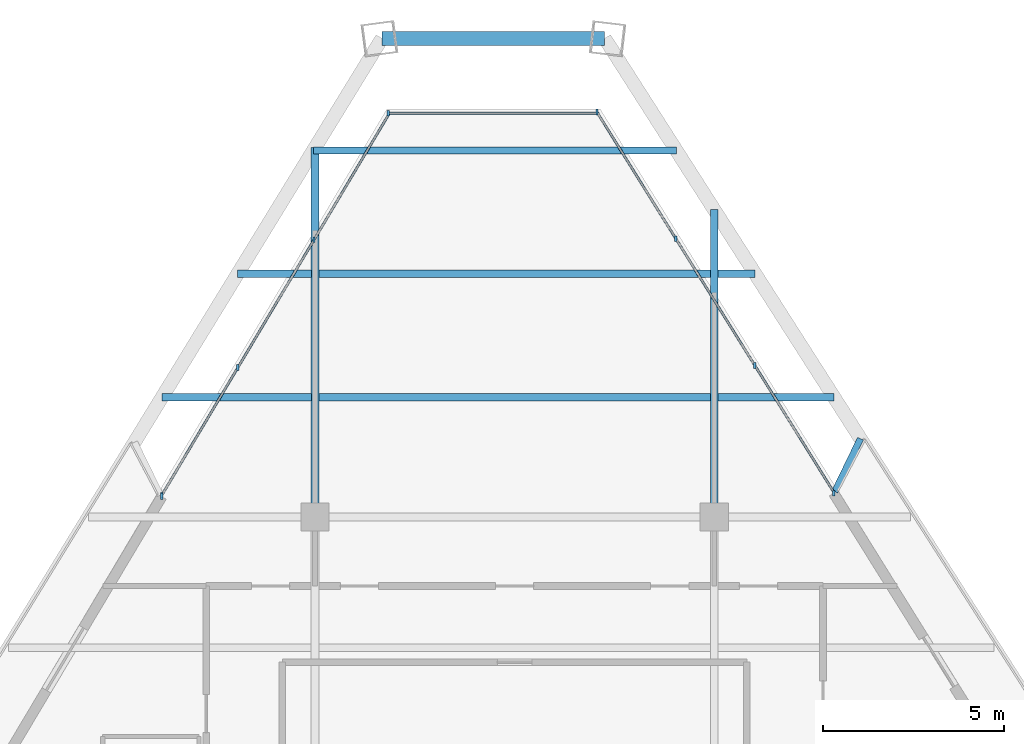
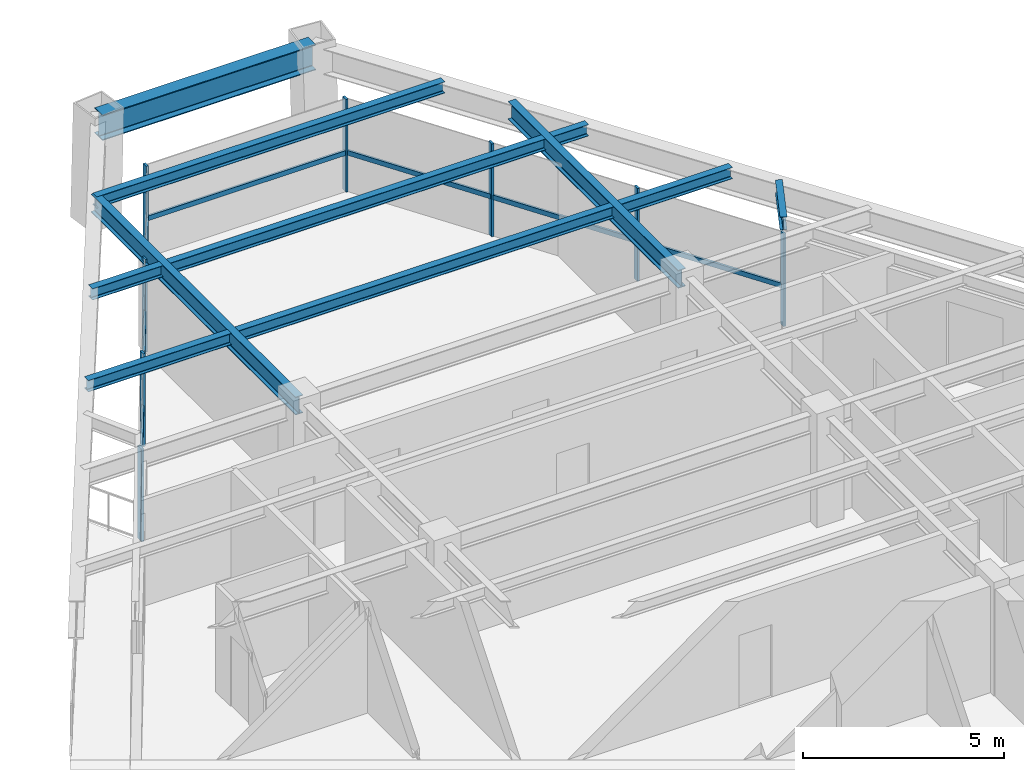
# One storey, part 6 of 12: 16 members, 11 beams, 3 elements without a shape of their own.
"""IFC4 building model written with IfcOpenShell, lengths in metres."""

from ifc_helpers import new_model, si_unit, direction, frame, origin, origin_2d, place, context, subcontext, project, spatial, rectangle, i_section, extrude, source, transform, mapped, material, material_profile, profile_set, type_object, type_shapes, element, aggregate, save


model = new_model("IFC4")

# Units and contexts
model_context = context("Model", 3, precision=1e-05, world=origin(), true_north=direction((0.0, 1.0)))
body_context = subcontext(model_context, "Body", "Model", "MODEL_VIEW")
ifc_project = project(units=[si_unit("LENGTHUNIT", "METRE"), si_unit("AREAUNIT", "SQUARE_METRE"), si_unit("VOLUMEUNIT", "CUBIC_METRE"), si_unit("PLANEANGLEUNIT", "RADIAN"), si_unit("MASSUNIT", "GRAM", prefix="KILO")], contexts=[model_context])

# Site, building, storey
site_placement = place(None, origin())
site = spatial("IfcSite", under=ifc_project, at=site_placement, CompositionType="ELEMENT")
building_placement = place(site_placement, origin())
building = spatial("IfcBuilding", under=site, at=building_placement, Name="Varnakhor Terracotta Tower", CompositionType="ELEMENT")
storey_placement = place(building_placement, frame((0.0, 0.0, 226.89990234375)))
storey = spatial("IfcBuildingStorey", under=building, at=storey_placement, Name="L58", CompositionType="ELEMENT", Elevation=226.89990234375)

# Beams
ifc_material_1 = material(Name="Steel S355", Category="steel")
ifc_material_profile_1 = material_profile(ifc_material_1, i_section(OverallWidth=0.202880859375, OverallDepth=0.346923828125, WebThickness=0.0078125, FlangeThickness=0.013427734375, FilletRadius=0.01806640625, at=origin_2d()), Name="W14X43")
ifc_profile_set_1 = profile_set([ifc_material_profile_1], Name="Steel S355")
beam_type_1 = type_object("IfcBeamType", Name="JST-W14X43", PredefinedType="JOIST", material=ifc_profile_set_1)
shared_shape_1 = source(origin(), body_context, "Body", "SweptSolid", [
    extrude(i_section(OverallWidth=0.202880859375, OverallDepth=0.346923828125, WebThickness=0.0078125, FlangeThickness=0.013427734375, FilletRadius=0.01806640625, at=origin_2d()), origin(), (0.0, 0.0, 1.0), 10.7939453125),
])
for number, where, z_axis, x_axis, name in (
    (1, (-5.39697265625, 34.800048828125, 3.066650390625), (1.0, 0.0, 0.0), (0.0, 1.0, 0.0), "L58 Composite Floor Joist 7-2"),
    (2, (-5.39697265625, 38.199951171875, 3.066650390625), (1.0, 0.0, 0.0), (0.0, 1.0, 0.0), "L58 Composite Floor Joist 8-2"),
):
    element("IfcBeam", number, at=place(storey_placement, frame(where, z_axis=z_axis, x_axis=x_axis)), inside=storey, type_object=beam_type_1, Name=name, PredefinedType="JOIST", context=body_context, shape_type="MappedRepresentation", body=[
        mapped(shared_shape_1, transform((0.0, 0.0, 0.0), scale=1.0)),
    ])
ifc_material_profile_2 = material_profile(ifc_material_1, i_section(OverallWidth=0.381103515625, OverallDepth=0.77294921875, WebThickness=0.01708984375, FlangeThickness=0.027099609375, FilletRadius=0.01806640625, at=origin_2d()), Name="W30X173")
ifc_profile_set_2 = profile_set([ifc_material_profile_2], Name="Steel S355")
beam_type_2 = type_object("IfcBeamType", Name="BM-W30X173", PredefinedType="BEAM", material=ifc_profile_set_2)
shared_shape_2 = source(origin(), body_context, "Body", "SweptSolid", [
    extrude(i_section(OverallWidth=0.381103515625, OverallDepth=0.77294921875, WebThickness=0.01708984375, FlangeThickness=0.027099609375, FilletRadius=0.01806640625, at=origin_2d()), origin(), (0.0, 0.0, 1.0), 6.13818359375),
])
beam_1_placement = place(storey_placement, frame((2.48388671875, 44.690185546875, 2.853515625), z_axis=(-1.0, 0.0, 0.0), x_axis=(0.0, -1.0, 0.0)))
element("IfcBeam", 3, at=beam_1_placement, inside=storey, type_object=beam_type_2, Name="L58 Perimeter Spandrel 5", PredefinedType="BEAM", context=body_context, shape_type="MappedRepresentation", body=[
    mapped(shared_shape_2, transform((0.0, 0.0, 0.0), scale=1.0)),
])
ifc_material_profile_3 = material_profile(ifc_material_1, i_section(OverallWidth=0.214111328125, OverallDepth=0.549072265625, WebThickness=0.014892578125, FlangeThickness=0.02392578125, FilletRadius=0.01806640625, at=origin_2d()), Name="W21X93")
ifc_profile_set_3 = profile_set([ifc_material_profile_3], Name="Steel S355")
beam_type_3 = type_object("IfcBeamType", Name="BM-W21X93", PredefinedType="BEAM", material=ifc_profile_set_3)
shared_shape_3 = source(origin(), body_context, "Body", "SweptSolid", [
    extrude(i_section(OverallWidth=0.214111328125, OverallDepth=0.549072265625, WebThickness=0.014892578125, FlangeThickness=0.02392578125, FilletRadius=0.01806640625, at=origin_2d()), origin(), (0.0, 0.0, 1.0), 10.177978515625),
])
beam_2_placement = place(storey_placement, frame((-5.5, 31.5, 2.965576171875), z_axis=(0.0, 1.0, 0.0), x_axis=(-1.0, 0.0, 0.0)))
element("IfcBeam", 4, at=beam_2_placement, inside=storey, type_object=beam_type_3, Name="L58 Primary Girder NS3-W", PredefinedType="BEAM", context=body_context, shape_type="MappedRepresentation", body=[
    mapped(shared_shape_3, transform((0.0, 0.0, 0.0), scale=1.0)),
])
shared_shape_4 = source(origin(), body_context, "Body", "SweptSolid", [
    extrude(i_section(OverallWidth=0.214111328125, OverallDepth=0.549072265625, WebThickness=0.014892578125, FlangeThickness=0.02392578125, FilletRadius=0.01806640625, at=origin_2d()), origin(), (0.0, 0.0, 1.0), 8.47021484375),
])
beam_3_placement = place(storey_placement, frame((5.5, 31.5, 2.965576171875), z_axis=(0.0, 1.0, 0.0), x_axis=(-1.0, 0.0, 0.0)))
element("IfcBeam", 5, at=beam_3_placement, inside=storey, type_object=beam_type_3, Name="L58 Primary Girder NS3-E", PredefinedType="BEAM", context=body_context, shape_type="MappedRepresentation", body=[
    mapped(shared_shape_4, transform((0.0, 0.0, 0.0), scale=1.0)),
])
shared_shape_5 = source(origin(), body_context, "Body", "SweptSolid", [
    extrude(i_section(OverallWidth=0.202880859375, OverallDepth=0.346923828125, WebThickness=0.0078125, FlangeThickness=0.013427734375, FilletRadius=0.01806640625, at=origin_2d()), origin(), (0.0, 0.0, 1.0), 4.112060546875),
])
beam_4_placement = place(storey_placement, frame((-9.715087890625, 34.800048828125, 3.066650390625), z_axis=(1.0, 0.0, 0.0), x_axis=(0.0, 1.0, 0.0)))
element("IfcBeam", 6, at=beam_4_placement, inside=storey, type_object=beam_type_1, Name="L58 Composite Floor Joist 7-1", PredefinedType="JOIST", context=body_context, shape_type="MappedRepresentation", body=[
    mapped(shared_shape_5, transform((0.0, 0.0, 0.0), scale=1.0)),
])
shared_shape_6 = source(origin(), body_context, "Body", "SweptSolid", [
    extrude(i_section(OverallWidth=0.202880859375, OverallDepth=0.346923828125, WebThickness=0.0078125, FlangeThickness=0.013427734375, FilletRadius=0.01806640625, at=origin_2d()), origin(), (0.0, 0.0, 1.0), 3.20068359375),
])
beam_5_placement = place(storey_placement, frame((5.60302734375, 34.800048828125, 3.066650390625), z_axis=(1.0, 0.0, 0.0), x_axis=(0.0, 1.0, 0.0)))
element("IfcBeam", 7, at=beam_5_placement, inside=storey, type_object=beam_type_1, Name="L58 Composite Floor Joist 7-3", PredefinedType="JOIST", context=body_context, shape_type="MappedRepresentation", body=[
    mapped(shared_shape_6, transform((0.0, 0.0, 0.0), scale=1.0)),
])
shared_shape_7 = source(origin(), body_context, "Body", "SweptSolid", [
    extrude(i_section(OverallWidth=0.202880859375, OverallDepth=0.346923828125, WebThickness=0.0078125, FlangeThickness=0.013427734375, FilletRadius=0.01806640625, at=origin_2d()), origin(), (0.0, 0.0, 1.0), 2.0283203125),
])
beam_6_placement = place(storey_placement, frame((-7.63134765625, 38.199951171875, 3.066650390625), z_axis=(1.0, 0.0, 0.0), x_axis=(0.0, 1.0, 0.0)))
element("IfcBeam", 8, at=beam_6_placement, inside=storey, type_object=beam_type_1, Name="L58 Composite Floor Joist 8-1", PredefinedType="JOIST", context=body_context, shape_type="MappedRepresentation", body=[
    mapped(shared_shape_7, transform((0.0, 0.0, 0.0), scale=1.0)),
])
shared_shape_8 = source(origin(), body_context, "Body", "SweptSolid", [
    extrude(i_section(OverallWidth=0.202880859375, OverallDepth=0.346923828125, WebThickness=0.0078125, FlangeThickness=0.013427734375, FilletRadius=0.01806640625, at=origin_2d()), origin(), (0.0, 0.0, 1.0), 1.028076171875),
])
beam_7_placement = place(storey_placement, frame((5.60302734375, 38.199951171875, 3.066650390625), z_axis=(1.0, 0.0, 0.0), x_axis=(0.0, 1.0, 0.0)))
element("IfcBeam", 9, at=beam_7_placement, inside=storey, type_object=beam_type_1, Name="L58 Composite Floor Joist 8-3", PredefinedType="JOIST", context=body_context, shape_type="MappedRepresentation", body=[
    mapped(shared_shape_8, transform((0.0, 0.0, 0.0), scale=1.0)),
])
shared_shape_9 = source(origin(), body_context, "Body", "SweptSolid", [
    extrude(i_section(OverallWidth=0.202880859375, OverallDepth=0.346923828125, WebThickness=0.0078125, FlangeThickness=0.013427734375, FilletRadius=0.01806640625, at=origin_2d()), origin(), (0.0, 0.0, 1.0), 10.00634765625),
])
beam_8_placement = place(storey_placement, frame((-5.5478515625, 41.60009765625, 3.066650390625), z_axis=(1.0, 0.0, 0.0), x_axis=(0.0, 1.0, 0.0)))
element("IfcBeam", 10, at=beam_8_placement, inside=storey, type_object=beam_type_1, Name="L58 Composite Floor Joist 9-1", PredefinedType="JOIST", context=body_context, shape_type="MappedRepresentation", body=[
    mapped(shared_shape_9, transform((0.0, 0.0, 0.0), scale=1.0)),
])

# Curtain wall, members
ifc_material_2 = material(Name="Anodised Aluminium Curtain Wall System", Category="aluminium")
curtain_wall_type = type_object("IfcCurtainWallType", Name="CW-SYS-HOTEL-LOGGIA", PredefinedType="NOTDEFINED", material=ifc_material_2)
curtain_wall_1_placement = place(storey_placement, origin())
curtain_wall_1 = element("IfcCurtainWall", 11, at=curtain_wall_1_placement, inside=storey, type_object=curtain_wall_type, Name="L58 W Facet Curtain Wall 2", PredefinedType="NOTDEFINED")
ifc_material_3 = material(Name="Anodised Aluminium 6063-T6", Category="aluminium")
ifc_material_profile_4 = material_profile(ifc_material_3, rectangle(XDim=0.06494140625, YDim=0.159912109375, at=origin_2d()), Name="ALU MULLION 65x160")
ifc_profile_set_4 = profile_set([ifc_material_profile_4], Name="Anodised Aluminium 6063-T6")
member_type_1 = type_object("IfcMemberType", Name="CWM-04", PredefinedType="MULLION", material=ifc_profile_set_4)
shared_shape_10 = source(origin(), body_context, "Body", "SweptSolid", [
    extrude(rectangle(XDim=0.06494140625, YDim=0.159912109375, at=origin_2d()), origin(), (0.0, 0.0, 1.0), 2.820068359375),
])
type_shapes(member_type_1, [shared_shape_10])
member_1_placement = place(storey_placement, frame((-9.72314453125, 32.096923828125, 0.0), z_axis=(0.0, 0.0, 1.0), x_axis=(1.0, 0.0, 0.0)))
member_1 = element("IfcMember", 12, at=member_1_placement, type_object=member_type_1, Name="L58 W Facet Curtain Wall 2 Mullion 1", PredefinedType="MULLION", context=body_context, shape_type="MappedRepresentation", body=[
    mapped(shared_shape_10, transform((0.0, 0.0, 0.0), scale=1.0)),
])
member_2_placement = place(storey_placement, frame((-7.624755859375, 35.617919921875, 0.0), z_axis=(0.0, 0.0, 1.0), x_axis=(1.0, 0.0, 0.0)))
member_2 = element("IfcMember", 13, at=member_2_placement, type_object=member_type_1, Name="L58 W Facet Curtain Wall 2 Mullion 2", PredefinedType="MULLION", context=body_context, shape_type="MappedRepresentation", body=[
    mapped(shared_shape_10, transform((0.0, 0.0, 0.0), scale=1.0)),
])
member_3_placement = place(storey_placement, frame((-5.5263671875, 39.138671875, 0.0), z_axis=(0.0, 0.0, 1.0), x_axis=(1.0, 0.0, 0.0)))
member_3 = element("IfcMember", 14, at=member_3_placement, type_object=member_type_1, Name="L58 W Facet Curtain Wall 2 Mullion 3", PredefinedType="MULLION", context=body_context, shape_type="MappedRepresentation", body=[
    mapped(shared_shape_10, transform((0.0, 0.0, 0.0), scale=1.0)),
])
member_4_placement = place(storey_placement, frame((-9.721435546875, 32.06103515625, 0.0), z_axis=(0.0, 0.0, 1.0), x_axis=(1.0, 0.0, 0.0)))
member_4 = element("IfcMember", 15, at=member_4_placement, type_object=member_type_1, Name="L58 W Loggia Jamb Closure Mullion 2", PredefinedType="MULLION", context=body_context, shape_type="MappedRepresentation", body=[
    mapped(shared_shape_10, transform((0.0, 0.0, 0.0), scale=1.0)),
])

# Curtain wall, member
curtain_wall_2_placement = place(storey_placement, origin())
curtain_wall_2 = element("IfcCurtainWall", 16, at=curtain_wall_2_placement, inside=storey, type_object=curtain_wall_type, Name="L58 Facet Curtain Wall 2", PredefinedType="NOTDEFINED")
member_5_placement = place(storey_placement, frame((-3.48583984375, 42.626708984375, 0.0), z_axis=(0.0, 0.0, 1.0), x_axis=(1.0, 0.0, 0.0)))
member_5 = element("IfcMember", 17, at=member_5_placement, type_object=member_type_1, Name="L58 Facet Curtain Wall 2 Mullion 1", PredefinedType="MULLION", context=body_context, shape_type="MappedRepresentation", body=[
    mapped(shared_shape_10, transform((0.0, 0.0, 0.0), scale=1.0)),
])

# Curtain wall, members
curtain_wall_3_placement = place(storey_placement, origin())
curtain_wall_3 = element("IfcCurtainWall", 18, at=curtain_wall_3_placement, inside=storey, type_object=curtain_wall_type, Name="L58 E Facet Curtain Wall 1", PredefinedType="NOTDEFINED")
member_6_placement = place(storey_placement, frame((2.2705078125, 42.65771484375, 0.0), z_axis=(0.0, 0.0, 1.0), x_axis=(1.0, 0.0, 0.0)))
member_6 = element("IfcMember", 19, at=member_6_placement, type_object=member_type_1, Name="L58 E Facet Curtain Wall 1 Mullion 1", PredefinedType="MULLION", context=body_context, shape_type="MappedRepresentation", body=[
    mapped(shared_shape_10, transform((0.0, 0.0, 0.0), scale=1.0)),
])
member_7_placement = place(storey_placement, frame((4.4453125, 39.167724609375, 0.0), z_axis=(0.0, 0.0, 1.0), x_axis=(1.0, 0.0, 0.0)))
member_7 = element("IfcMember", 20, at=member_7_placement, type_object=member_type_1, Name="L58 E Facet Curtain Wall 1 Mullion 2", PredefinedType="MULLION", context=body_context, shape_type="MappedRepresentation", body=[
    mapped(shared_shape_10, transform((0.0, 0.0, 0.0), scale=1.0)),
])
member_8_placement = place(storey_placement, frame((6.619873046875, 35.677734375, 0.0), z_axis=(0.0, 0.0, 1.0), x_axis=(1.0, 0.0, 0.0)))
member_8 = element("IfcMember", 21, at=member_8_placement, type_object=member_type_1, Name="L58 E Facet Curtain Wall 1 Mullion 3", PredefinedType="MULLION", context=body_context, shape_type="MappedRepresentation", body=[
    mapped(shared_shape_10, transform((0.0, 0.0, 0.0), scale=1.0)),
])
member_9_placement = place(storey_placement, frame((8.79345703125, 32.151611328125, 0.0), z_axis=(0.0, 0.0, 1.0), x_axis=(1.0, 0.0, 0.0)))
member_9 = element("IfcMember", 22, at=member_9_placement, type_object=member_type_1, Name="L58 E Loggia Jamb Closure Mullion 1", PredefinedType="MULLION", context=body_context, shape_type="MappedRepresentation", body=[
    mapped(shared_shape_10, transform((0.0, 0.0, 0.0), scale=1.0)),
])

# Member
ifc_material_profile_5 = material_profile(ifc_material_3, rectangle(XDim=0.06494140625, YDim=0.14501953125, at=origin_2d()), Name="ALU TRANSOM 65x145")
ifc_profile_set_5 = profile_set([ifc_material_profile_5], Name="Anodised Aluminium 6063-T6")
member_type_2 = type_object("IfcMemberType", Name="CWT-04", PredefinedType="USERDEFINED", material=ifc_profile_set_5)
shared_shape_11 = source(origin(), body_context, "Body", "SweptSolid", [
    extrude(rectangle(XDim=0.06494140625, YDim=0.14501953125, at=origin_2d()), origin(), (0.0, 0.0, 1.0), 4.0986328125),
])
member_10_placement = place(storey_placement, frame((-7.624755859375, 35.617919921875, 1.1845703125), z_axis=(0.511970728732, 0.859002894595, 0.0), x_axis=(-0.859002894595, 0.511970728732, 0.0)))
member_10 = element("IfcMember", 23, at=member_10_placement, type_object=member_type_2, Name="L58 W Facet Curtain Wall 2 Transom 2", ObjectType="TRANSOM", PredefinedType="USERDEFINED", context=body_context, shape_type="MappedRepresentation", body=[
    mapped(shared_shape_11, transform((0.0, 0.0, 0.0), scale=1.0)),
])

member_11_placement = place(storey_placement, frame((-5.5263671875, 39.138671875, 1.1845703125), z_axis=(0.511970728732, 0.859002894595, 0.0), x_axis=(-0.859002894595, 0.511970728732, 0.0)))
member_11 = element("IfcMember", 24, at=member_11_placement, type_object=member_type_2, Name="L58 W Facet Curtain Wall 2 Transom 3", ObjectType="TRANSOM", PredefinedType="USERDEFINED", context=body_context, shape_type="MappedRepresentation", body=[
    mapped(shared_shape_11, transform((0.0, 0.0, 0.0), scale=1.0)),
])

shared_shape_12 = source(origin(), body_context, "Body", "SweptSolid", [
    extrude(rectangle(XDim=0.06494140625, YDim=0.14501953125, at=origin_2d()), origin(), (0.0, 0.0, 1.0), 4.098876953125),
])
member_12_placement = place(storey_placement, frame((-9.72314453125, 32.096923828125, 1.1845703125), z_axis=(0.511944533591, 0.85901850651, 0.0), x_axis=(-0.85901850651, 0.511944533591, 0.0)))
member_12 = element("IfcMember", 25, at=member_12_placement, type_object=member_type_2, Name="L58 W Facet Curtain Wall 2 Transom 1", ObjectType="TRANSOM", PredefinedType="USERDEFINED", context=body_context, shape_type="MappedRepresentation", body=[
    mapped(shared_shape_12, transform((0.0, 0.0, 0.0), scale=1.0)),
])

aggregate(curtain_wall_1, [member_1, member_12, member_2, member_10, member_3, member_11, member_4])

shared_shape_13 = source(origin(), body_context, "Body", "SweptSolid", [
    extrude(rectangle(XDim=0.06494140625, YDim=0.14501953125, at=origin_2d()), origin(), (0.0, 0.0, 1.0), 5.8125),
])
member_13_placement = place(storey_placement, frame((-3.48583984375, 42.626708984375, 1.1845703125), z_axis=(1.0, 0.0, 0.0), x_axis=(0.0, 1.0, 0.0)))
member_13 = element("IfcMember", 26, at=member_13_placement, type_object=member_type_2, Name="L58 Facet Curtain Wall 2 Transom 1", ObjectType="TRANSOM", PredefinedType="USERDEFINED", context=body_context, shape_type="MappedRepresentation", body=[
    mapped(shared_shape_13, transform((0.0, 0.0, 0.0), scale=1.0)),
])

aggregate(curtain_wall_2, [member_5, member_13])

shared_shape_14 = source(origin(), body_context, "Body", "SweptSolid", [
    extrude(rectangle(XDim=0.06494140625, YDim=0.14501953125, at=origin_2d()), origin(), (0.0, 0.0, 1.0), 4.112060546875),
])
member_14_placement = place(storey_placement, frame((2.2705078125, 42.65771484375, 1.1845703125), z_axis=(0.528872434449, -0.848701330316, 0.0), x_axis=(0.848701330316, 0.528872434449, 0.0)))
member_14 = element("IfcMember", 27, at=member_14_placement, type_object=member_type_2, Name="L58 E Facet Curtain Wall 1 Transom 1", ObjectType="TRANSOM", PredefinedType="USERDEFINED", context=body_context, shape_type="MappedRepresentation", body=[
    mapped(shared_shape_14, transform((0.0, 0.0, 0.0), scale=1.0)),
])

member_15_placement = place(storey_placement, frame((4.4453125, 39.167724609375, 1.1845703125), z_axis=(0.528829668222, -0.848727978806, 0.0), x_axis=(0.848727978806, 0.528829668222, 0.0)))
member_15 = element("IfcMember", 28, at=member_15_placement, type_object=member_type_2, Name="L58 E Facet Curtain Wall 1 Transom 2", ObjectType="TRANSOM", PredefinedType="USERDEFINED", context=body_context, shape_type="MappedRepresentation", body=[
    mapped(shared_shape_14, transform((0.0, 0.0, 0.0), scale=1.0)),
])

member_16_placement = place(storey_placement, frame((6.619873046875, 35.677734375, 1.1845703125), z_axis=(0.528872434449, -0.848701330316, 0.0), x_axis=(0.848701330316, 0.528872434449, 0.0)))
member_16 = element("IfcMember", 29, at=member_16_placement, type_object=member_type_2, Name="L58 E Facet Curtain Wall 1 Transom 3", ObjectType="TRANSOM", PredefinedType="USERDEFINED", context=body_context, shape_type="MappedRepresentation", body=[
    mapped(shared_shape_14, transform((0.0, 0.0, 0.0), scale=1.0)),
])

aggregate(curtain_wall_3, [member_6, member_14, member_7, member_15, member_8, member_16, member_9])

# Beam
ifc_material_profile_6 = material_profile(ifc_material_1, i_section(OverallWidth=0.179931640625, OverallDepth=0.39990234375, WebThickness=0.008544921875, FlangeThickness=0.013427734375, FilletRadius=0.01806640625, at=origin_2d()), Name="IPE400")
ifc_profile_set_6 = profile_set([ifc_material_profile_6], Name="Steel S355")
beam_type_4 = type_object("IfcBeamType", Name="JST-IPE400", PredefinedType="JOIST", material=ifc_profile_set_6)
shared_shape_15 = source(origin(), body_context, "Body", "SweptSolid", [
    extrude(i_section(OverallWidth=0.179931640625, OverallDepth=0.39990234375, WebThickness=0.008544921875, FlangeThickness=0.013427734375, FilletRadius=0.01806640625, at=origin_2d()), origin(), (0.0, 0.0, 1.0), 1.621337890625),
])
beam_9_placement = place(storey_placement, frame((8.826416015625, 32.19921875, 3.0400390625), z_axis=(0.435915114214, 0.899987785028, 0.0), x_axis=(-0.899987785028, 0.435915114214, 0.0)))
element("IfcBeam", 30, at=beam_9_placement, inside=storey, type_object=beam_type_4, Name="L59 E Loggia Tie Beam 1", PredefinedType="JOIST", context=body_context, shape_type="MappedRepresentation", body=[
    mapped(shared_shape_15, transform((0.0, 0.0, 0.0), scale=1.0)),
])

save(model, "model.ifc")
